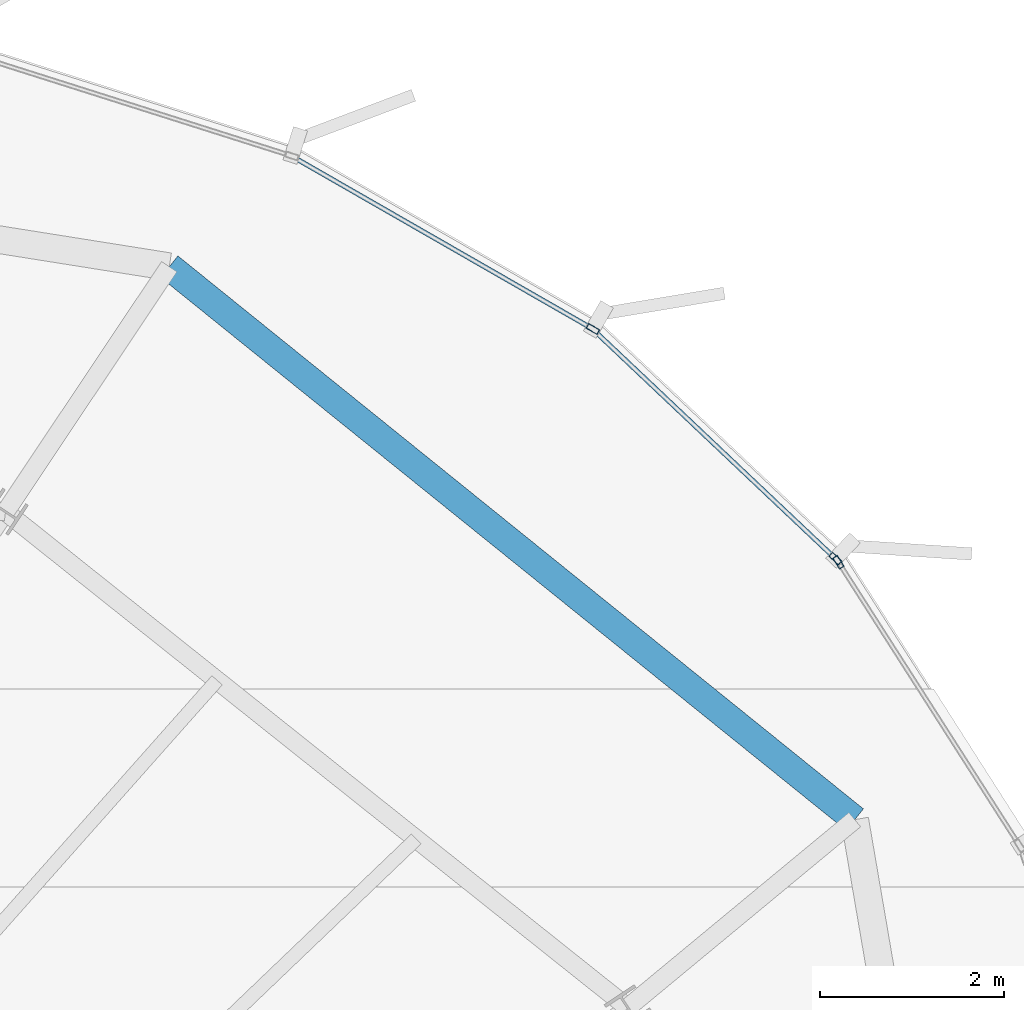
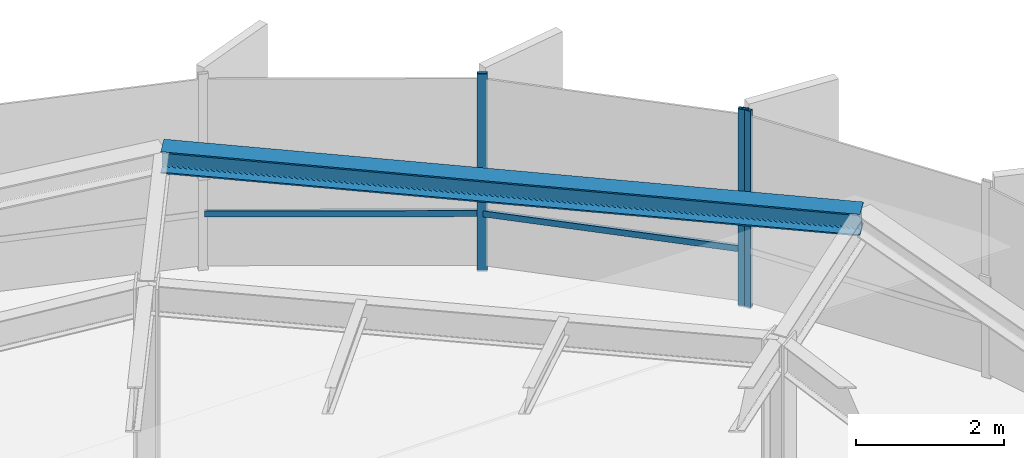
# One storey, part 27 of 35: 5 members, 1 beam, 2 elements without a shape of their own.
"""IFC4 building model written with IfcOpenShell, lengths in metres."""

from ifc_helpers import new_model, si_unit, direction, frame, origin, origin_2d, place, context, subcontext, project, spatial, hollow_rectangle, i_section, extrude, source, transform, mapped, material, layer, layer_set, material_profile, profile_set, type_object, element, aggregate, save


model = new_model("IFC4")

# Units and contexts
model_context = context("Model", 3, precision=1e-05, world=origin(), true_north=direction((0.0, 1.0)))
body_context = subcontext(model_context, "Body", "Model", "MODEL_VIEW")
ifc_project = project(units=[si_unit("LENGTHUNIT", "METRE"), si_unit("AREAUNIT", "SQUARE_METRE"), si_unit("VOLUMEUNIT", "CUBIC_METRE"), si_unit("PLANEANGLEUNIT", "RADIAN"), si_unit("MASSUNIT", "GRAM", prefix="KILO"), si_unit("THERMODYNAMICTEMPERATUREUNIT", "KELVIN")], contexts=[model_context])

# Site, building, storey
site_placement = place(None, origin())
site = spatial("IfcSite", under=ifc_project, at=site_placement, CompositionType="ELEMENT")
building_placement = place(site_placement, origin())
building = spatial("IfcBuilding", under=site, at=building_placement, Name="Kethvar Cultural Tower", CompositionType="ELEMENT")
storey_placement = place(building_placement, frame((0.0, 0.0, 193.89990234375)))
storey = spatial("IfcBuildingStorey", under=building, at=storey_placement, Name="L50", CompositionType="ELEMENT", Elevation=193.89990234375)

# Beam
ifc_material_1 = material(Name="Steel S355J2", Category="steel")
ifc_material_profile_1 = material_profile(ifc_material_1, i_section(OverallWidth=0.300048828125, OverallDepth=0.360107421875, WebThickness=0.012451171875, FlangeThickness=0.0224609375, FilletRadius=0.027099609375, at=origin_2d()), Name="Steel S355J2 — HEB360")
ifc_profile_set_1 = profile_set([ifc_material_profile_1], Name="Steel S355J2 — HEB360")
beam_type = type_object("IfcBeamType", Name="BM-SP360", PredefinedType="SPANDREL", material=ifc_profile_set_1)
shared_shape_1 = source(origin(), body_context, "Body", "SweptSolid", [
    extrude(i_section(OverallWidth=0.300048828125, OverallDepth=0.360107421875, WebThickness=0.012451171875, FlangeThickness=0.0224609375, FilletRadius=0.027099609375, at=origin_2d()), origin(), (0.0, 0.0, 1.0), 9.563232421875),
])
beam_placement = place(storey_placement, frame((67.96923828125, 42.338134765625, 3.078125), z_axis=(-0.77833939171, 0.627843763458, 0.0), x_axis=(-0.627843763458, -0.77833939171, 0.0)))
element("IfcBeam", 1, at=beam_placement, inside=storey, type_object=beam_type, Name="L50 Perimeter Spandrel Beam SP-02", PredefinedType="SPANDREL", context=body_context, shape_type="MappedRepresentation", body=[
    mapped(shared_shape_1, transform((0.0, 0.0, 0.0), scale=1.0)),
])

# Curtain wall, members
ifc_material_2 = material(Name="Aluminium 6063-T6", Category="aluminium")
ifc_layer = layer(ifc_material_2, 0.179931640625, Name="Aluminium 6063-T6", Category="aluminium")
ifc_layer_set = layer_set([ifc_layer], Name="Aluminium 6063-T6 (180 mm)")
curtain_wall_type = type_object("IfcCurtainWallType", Name="CW-SYS-04-Z34", PredefinedType="NOTDEFINED", material=ifc_layer_set)
curtain_wall_1_placement = place(storey_placement, origin())
curtain_wall_1 = element("IfcCurtainWall", 2, at=curtain_wall_1_placement, inside=storey, type_object=curtain_wall_type, Name="L50 Curtain Wall Run 01", PredefinedType="NOTDEFINED")
ifc_material_profile_2 = material_profile(ifc_material_2, hollow_rectangle(XDim=0.06005859375, YDim=0.139892578125, WallThickness=0.0048828125, at=origin_2d()), Name="Aluminium 6063-T6 — RHS140x60x5")
ifc_profile_set_2 = profile_set([ifc_material_profile_2], Name="Aluminium 6063-T6 — RHS140x60x5")
member_type_1 = type_object("IfcMemberType", Name="CW-SYS-04-Z34-MUL", PredefinedType="MULLION", material=ifc_profile_set_2)
shared_shape_2 = source(origin(), body_context, "Body", "SweptSolid", [
    extrude(hollow_rectangle(XDim=0.06005859375, YDim=0.139892578125, WallThickness=0.0048828125, at=origin_2d()), origin(), (0.0, 0.0, 1.0), 3.260009765625),
])
member_1_placement = place(storey_placement, frame((67.759765625, 45.172119140625, 0.0), z_axis=(0.0, 0.0, 1.0), x_axis=(-0.686859216737, -0.72679049002, 0.0)))
member_1 = element("IfcMember", 3, at=member_1_placement, type_object=member_type_1, Name="CW-L50-R01 Mullion 1", PredefinedType="MULLION", context=body_context, shape_type="MappedRepresentation", body=[
    mapped(shared_shape_2, transform((0.0, 0.0, 0.0), scale=1.0)),
])
member_2_placement = place(storey_placement, frame((65.1259765625, 47.66552734375, 0.0), z_axis=(0.0, 0.0, 1.0), x_axis=(-0.497791589856, -0.867296681112, 0.0)))
member_2 = element("IfcMember", 4, at=member_2_placement, type_object=member_type_1, Name="CW-L50-R01 Mullion 2", PredefinedType="MULLION", context=body_context, shape_type="MappedRepresentation", body=[
    mapped(shared_shape_2, transform((0.0, 0.0, 0.0), scale=1.0)),
])

# Curtain wall, member
curtain_wall_2_placement = place(storey_placement, origin())
curtain_wall_2 = element("IfcCurtainWall", 5, at=curtain_wall_2_placement, inside=storey, type_object=curtain_wall_type, Name="L50 Curtain Wall Run 06", PredefinedType="NOTDEFINED")
member_3_placement = place(storey_placement, frame((67.7919921875, 45.13330078125, 0.0), z_axis=(0.0, 0.0, 1.0), x_axis=(-0.842631013841, -0.538491387594, 0.0)))
member_3 = element("IfcMember", 6, at=member_3_placement, type_object=member_type_1, Name="CW-L50-R06 Mullion 7", PredefinedType="MULLION", context=body_context, shape_type="MappedRepresentation", body=[
    mapped(shared_shape_2, transform((0.0, 0.0, 0.0), scale=1.0)),
])
aggregate(curtain_wall_2, [member_3])

# Member
ifc_material_profile_3 = material_profile(ifc_material_2, hollow_rectangle(XDim=0.050048828125, YDim=0.10009765625, WallThickness=0.00390625, at=origin_2d()), Name="Aluminium 6063-T6 — RHS100x50x4")
ifc_profile_set_3 = profile_set([ifc_material_profile_3], Name="Aluminium 6063-T6 — RHS100x50x4")
member_type_2 = type_object("IfcMemberType", Name="CW-SYS-04-Z34-TRN", PredefinedType="USERDEFINED", material=ifc_profile_set_3)
shared_shape_3 = source(origin(), body_context, "Body", "SweptSolid", [
    extrude(hollow_rectangle(XDim=0.050048828125, YDim=0.10009765625, WallThickness=0.00390625, at=origin_2d()), origin(), (0.0, 0.0, 1.0), 3.60498046875),
])
member_4_placement = place(storey_placement, frame((67.756591796875, 45.175048828125, 0.9501953125), z_axis=(-0.726737008746, 0.686915802787, 0.0), x_axis=(-0.686915802787, -0.726737008746, 0.0)))
member_4 = element("IfcMember", 7, at=member_4_placement, type_object=member_type_2, Name="CW-L50-R01 Transom 1", ObjectType="TRANSOM", PredefinedType="USERDEFINED", context=body_context, shape_type="MappedRepresentation", body=[
    mapped(shared_shape_3, transform((0.0, 0.0, 0.0), scale=1.0)),
])

shared_shape_4 = source(origin(), body_context, "Body", "SweptSolid", [
    extrude(hollow_rectangle(XDim=0.050048828125, YDim=0.10009765625, WallThickness=0.00390625, at=origin_2d()), origin(), (0.0, 0.0, 1.0), 3.707275390625),
])
member_5_placement = place(storey_placement, frame((65.088623046875, 47.68701171875, 0.9501953125), z_axis=(-0.867297324479, 0.497790468924, 0.0), x_axis=(-0.497790468924, -0.867297324479, 0.0)))
member_5 = element("IfcMember", 8, at=member_5_placement, type_object=member_type_2, Name="CW-L50-R01 Transom 2", ObjectType="TRANSOM", PredefinedType="USERDEFINED", context=body_context, shape_type="MappedRepresentation", body=[
    mapped(shared_shape_4, transform((0.0, 0.0, 0.0), scale=1.0)),
])

aggregate(curtain_wall_1, [member_1, member_2, member_4, member_5])

save(model, "model.ifc")
